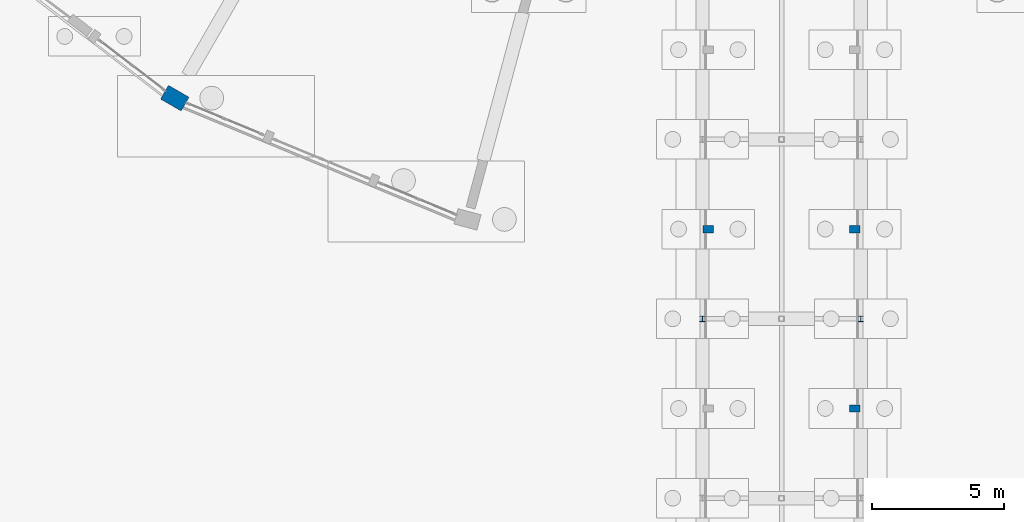
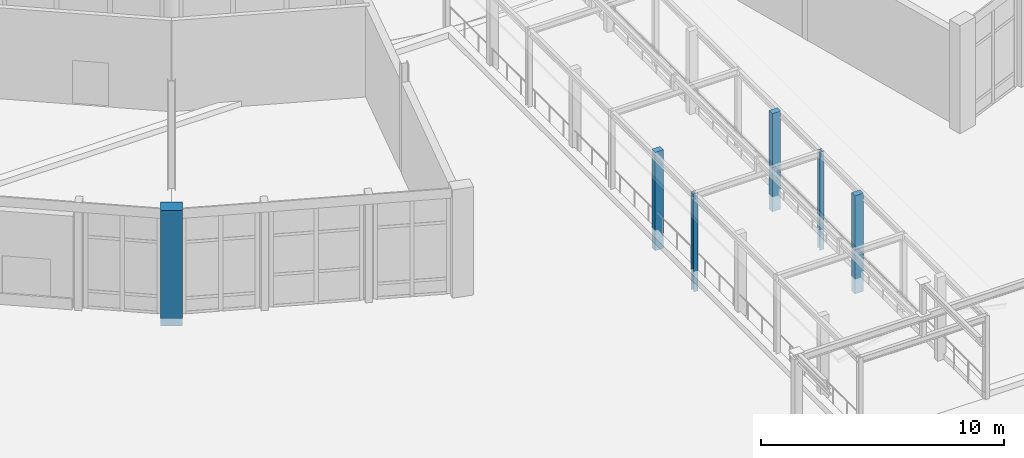
# One storey, part 8 of 137: 6 columns.
"""IFC4 building model written with IfcOpenShell, lengths in metres."""

from ifc_helpers import new_model, si_unit, direction, frame, origin, origin_2d, place, context, subcontext, project, spatial, rectangle, i_section, extrude, material, material_profile, profile_set, type_object, element, save


model = new_model("IFC4")

# Units and contexts
model_context = context("Model", 3, precision=1e-05, world=origin(), true_north=direction((0.0, 1.0)))
body_context = subcontext(model_context, "Body", "Model", "MODEL_VIEW")
ifc_project = project(units=[si_unit("LENGTHUNIT", "METRE"), si_unit("AREAUNIT", "SQUARE_METRE"), si_unit("VOLUMEUNIT", "CUBIC_METRE"), si_unit("PLANEANGLEUNIT", "RADIAN"), si_unit("MASSUNIT", "GRAM", prefix="KILO")], contexts=[model_context])

# Site, building, storey
site_placement = place(None, origin())
site = spatial("IfcSite", under=ifc_project, at=site_placement, CompositionType="ELEMENT")
building_placement = place(site_placement, origin())
building = spatial("IfcBuilding", under=site, at=building_placement, Name="Vondelvale Polytechnic", CompositionType="ELEMENT")
storey_placement = place(building_placement, origin())
storey = spatial("IfcBuildingStorey", under=building, at=storey_placement, Name="L00", CompositionType="ELEMENT", Elevation=0.0)

# Columns
ifc_material_1 = material(Name="Glulam GL18 structural Tasmanian oak (fb = 42 MPa)", Category="wood")
ifc_material_profile_1 = material_profile(ifc_material_1, rectangle(XDim=0.280029296875, YDim=0.39990234375, at=origin_2d()), Name="GL-POST-280x400")
ifc_profile_set_1 = profile_set([ifc_material_profile_1], Name="Glulam GL18 structural Tasmanian oak (fb = 42 MPa)")
column_type_1 = type_object("IfcColumnType", Name="COL-GLULAM-280x400", PredefinedType="PILASTER", material=ifc_profile_set_1)
for number, where, z_axis, x_axis, name in (
    (1, (99.219970703125, 27.199951171875, -0.75), (0.0, 0.0, 1.0), (0.0, 1.0, 0.0), "L00 timber footbridge glulam post (99.22,27.2)"),
    (2, (104.780029296875, 20.39990234375, -0.75), (0.0, 0.0, 1.0), (0.0, 1.0, 0.0), "L00 timber footbridge glulam post (104.78,20.4)"),
    (3, (104.780029296875, 27.199951171875, -0.75), (0.0, 0.0, 1.0), (0.0, 1.0, 0.0), "L00 timber footbridge glulam post (104.78,27.2)"),
):
    element("IfcColumn", number, at=place(storey_placement, frame(where, z_axis=z_axis, x_axis=x_axis)), inside=storey, type_object=column_type_1, Name=name, PredefinedType="PILASTER", context=body_context, shape_type="SweptSolid", body=[
        extrude(rectangle(XDim=0.280029296875, YDim=0.39990234375, at=origin_2d()), origin(), (0.0, 0.0, 1.0), 4.929931640625),
    ])
ifc_material_2 = material(Name="Concrete N50 (f'c = 50 MPa)", Category="concrete")
ifc_material_profile_2 = material_profile(ifc_material_2, rectangle(XDim=0.60009765625, YDim=0.89990234375, at=origin_2d()), Name="RC-COL-900x600")
ifc_profile_set_2 = profile_set([ifc_material_profile_2], Name="Concrete N50 (f'c = 50 MPa)")
column_type_2 = type_object("IfcColumnType", Name="COL-RC900x600", PredefinedType="COLUMN", material=ifc_profile_set_2)
column_placement = place(storey_placement, frame((79.0, 32.162841796875, -0.39990234375), z_axis=(0.0, 0.0, 1.0), x_axis=(0.5, 0.866025403784, 0.0)))
element("IfcColumn", 4, at=column_placement, inside=storey, type_object=column_type_2, Name="L00 courtyard ring column S16-RO", PredefinedType="COLUMN", context=body_context, shape_type="SweptSolid", body=[
    extrude(rectangle(XDim=0.60009765625, YDim=0.89990234375, at=origin_2d()), origin(), (0.0, 0.0, 1.0), 5.7998046875),
])
ifc_material_3 = material(Name="Steel 300PLUS (fy = 300 MPa)", Category="steel")
ifc_material_profile_3 = material_profile(ifc_material_3, i_section(OverallWidth=0.205078125, OverallDepth=0.2099609375, WebThickness=0.00927734375, FlangeThickness=0.01416015625, FilletRadius=0.011474609375, at=origin_2d()), Name="200UC59.5")
ifc_profile_set_3 = profile_set([ifc_material_profile_3], Name="Steel 300PLUS (fy = 300 MPa)")
column_type_3 = type_object("IfcColumnType", Name="COL-UC200", PredefinedType="COLUMN", material=ifc_profile_set_3)
for number, where, z_axis, x_axis, name in (
    (5, (99.0, 23.800048828125, -0.75), (0.0, 0.0, 1.0), (1.0, 0.0, 0.0), "L00 entrance footbridge pier column (99.0,23.8)"),
    (6, (105.0, 23.800048828125, -0.75), (0.0, 0.0, 1.0), (1.0, 0.0, 0.0), "L00 entrance footbridge pier column (105.0,23.8)"),
):
    element("IfcColumn", number, at=place(storey_placement, frame(where, z_axis=z_axis, x_axis=x_axis)), inside=storey, type_object=column_type_3, Name=name, PredefinedType="COLUMN", context=body_context, shape_type="SweptSolid", body=[
        extrude(i_section(OverallWidth=0.205078125, OverallDepth=0.2099609375, WebThickness=0.00927734375, FlangeThickness=0.01416015625, FilletRadius=0.011474609375, at=origin_2d()), origin(), (0.0, 0.0, 1.0), 4.929931640625),
    ])

save(model, "model.ifc")
